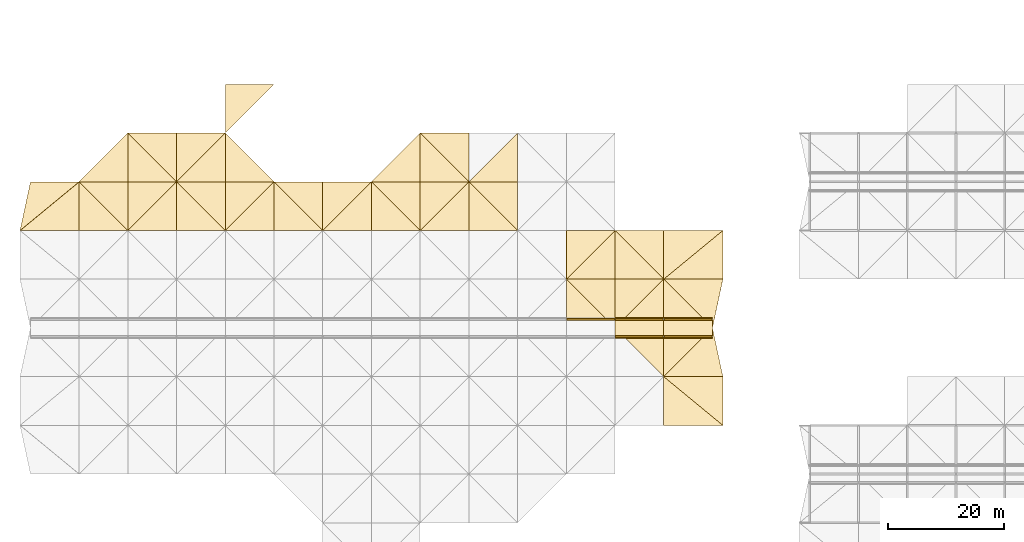
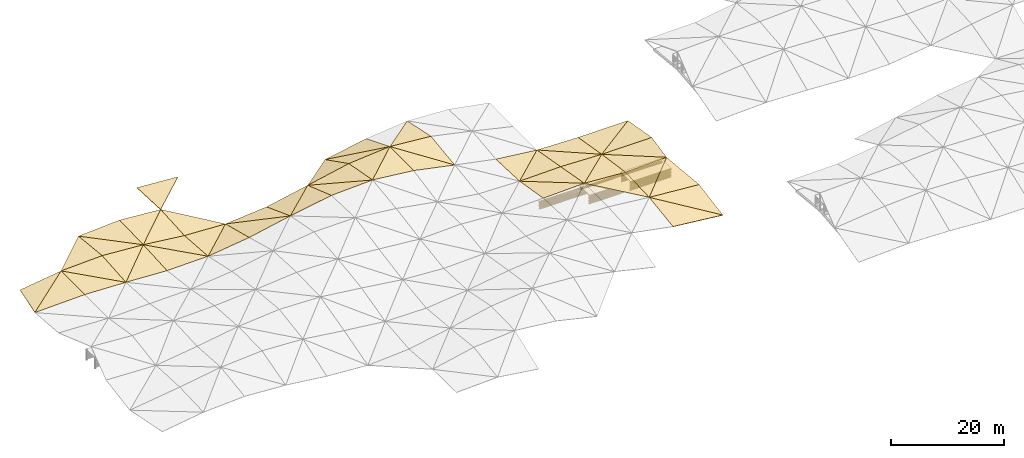
# One storey, part 41 of 46: 50 coverings, 30 shading devices.
"""IFC4 building model written with IfcOpenShell, lengths in metres."""

from ifc_helpers import new_model, si_unit, direction, frame, origin, origin_2d, place, context, subcontext, project, spatial, polyline, rectangle, outline, extrude, material, layer, layer_set, type_object, element, save


model = new_model("IFC4")

# Units and contexts
model_context = context("Model", 3, precision=1e-05, world=origin(), true_north=direction((0.0, 1.0)))
body_context = subcontext(model_context, "Body", "Model", "MODEL_VIEW")
ifc_project = project(units=[si_unit("LENGTHUNIT", "METRE"), si_unit("AREAUNIT", "SQUARE_METRE"), si_unit("VOLUMEUNIT", "CUBIC_METRE"), si_unit("PLANEANGLEUNIT", "RADIAN"), si_unit("MASSUNIT", "GRAM", prefix="KILO")], contexts=[model_context])

# Site, building, storey
site_placement = place(None, origin())
site = spatial("IfcSite", under=ifc_project, at=site_placement, CompositionType="ELEMENT")
building_placement = place(site_placement, origin())
building = spatial("IfcBuilding", under=site, at=building_placement, Name="Rain Tree Exposition and Congress Centre", CompositionType="ELEMENT")
storey_placement = place(building_placement, frame((0.0, 0.0, 27.0)))
storey = spatial("IfcBuildingStorey", under=building, at=storey_placement, Name="ROOF VAULT CREST", CompositionType="ELEMENT", Elevation=27.0)

# Shading devices
ifc_material_1 = material(Name="Aluminium", Category="aluminium")
ifc_layer_1 = layer(ifc_material_1, 0.0400390625)
ifc_layer_set_1 = layer_set([ifc_layer_1], Name="Aluminium")
shading_device_type = type_object("IfcShadingDeviceType", Name="Lantern louvre blade 40", PredefinedType="JALOUSIE", material=ifc_layer_set_1)
for number, where, z_axis, x_axis, name in (
    (1, (113.39990234375, 149.699951171875, 0.14990234375), (0.0, 0.0, 1.0), (1.0, 0.0, 0.0), "Lantern louvre S12.1"),
    (2, (113.39990234375, 149.699951171875, 0.469970703125), (0.0, 0.0, 1.0), (1.0, 0.0, 0.0), "Lantern louvre S12.2"),
    (3, (113.39990234375, 149.699951171875, 0.7900390625), (0.0, 0.0, 1.0), (1.0, 0.0, 0.0), "Lantern louvre S12.3"),
    (4, (113.39990234375, 149.699951171875, 1.10986328125), (0.0, 0.0, 1.0), (1.0, 0.0, 0.0), "Lantern louvre S12.4"),
    (5, (113.39990234375, 149.699951171875, 1.429931640625), (0.0, 0.0, 1.0), (1.0, 0.0, 0.0), "Lantern louvre S12.5"),
    (6, (113.39990234375, 149.699951171875, 1.75), (0.0, 0.0, 1.0), (1.0, 0.0, 0.0), "Lantern louvre S12.6"),
    (7, (121.800048828125, 149.699951171875, 0.14990234375), (0.0, 0.0, 1.0), (1.0, 0.0, 0.0), "Lantern louvre S13.1"),
    (8, (121.800048828125, 149.699951171875, 0.469970703125), (0.0, 0.0, 1.0), (1.0, 0.0, 0.0), "Lantern louvre S13.2"),
    (9, (121.800048828125, 149.699951171875, 0.7900390625), (0.0, 0.0, 1.0), (1.0, 0.0, 0.0), "Lantern louvre S13.3"),
    (10, (121.800048828125, 149.699951171875, 1.10986328125), (0.0, 0.0, 1.0), (1.0, 0.0, 0.0), "Lantern louvre S13.4"),
    (11, (121.800048828125, 149.699951171875, 1.429931640625), (0.0, 0.0, 1.0), (1.0, 0.0, 0.0), "Lantern louvre S13.5"),
    (12, (121.800048828125, 149.699951171875, 1.75), (0.0, 0.0, 1.0), (1.0, 0.0, 0.0), "Lantern louvre S13.6"),
    (13, (105.0, 152.699951171875, 0.14990234375), (0.0, 0.0, 1.0), (1.0, 0.0, 0.0), "Lantern louvre N11.1"),
    (14, (105.0, 152.699951171875, 0.469970703125), (0.0, 0.0, 1.0), (1.0, 0.0, 0.0), "Lantern louvre N11.2"),
    (15, (105.0, 152.699951171875, 0.7900390625), (0.0, 0.0, 1.0), (1.0, 0.0, 0.0), "Lantern louvre N11.3"),
    (16, (105.0, 152.699951171875, 1.10986328125), (0.0, 0.0, 1.0), (1.0, 0.0, 0.0), "Lantern louvre N11.4"),
    (17, (105.0, 152.699951171875, 1.429931640625), (0.0, 0.0, 1.0), (1.0, 0.0, 0.0), "Lantern louvre N11.5"),
    (18, (105.0, 152.699951171875, 1.75), (0.0, 0.0, 1.0), (1.0, 0.0, 0.0), "Lantern louvre N11.6"),
    (19, (113.39990234375, 152.699951171875, 0.14990234375), (0.0, 0.0, 1.0), (1.0, 0.0, 0.0), "Lantern louvre N12.1"),
    (20, (113.39990234375, 152.699951171875, 0.469970703125), (0.0, 0.0, 1.0), (1.0, 0.0, 0.0), "Lantern louvre N12.2"),
    (21, (113.39990234375, 152.699951171875, 0.7900390625), (0.0, 0.0, 1.0), (1.0, 0.0, 0.0), "Lantern louvre N12.3"),
    (22, (113.39990234375, 152.699951171875, 1.10986328125), (0.0, 0.0, 1.0), (1.0, 0.0, 0.0), "Lantern louvre N12.4"),
    (23, (113.39990234375, 152.699951171875, 1.429931640625), (0.0, 0.0, 1.0), (1.0, 0.0, 0.0), "Lantern louvre N12.5"),
    (24, (113.39990234375, 152.699951171875, 1.75), (0.0, 0.0, 1.0), (1.0, 0.0, 0.0), "Lantern louvre N12.6"),
    (25, (121.800048828125, 152.699951171875, 0.14990234375), (0.0, 0.0, 1.0), (1.0, 0.0, 0.0), "Lantern louvre N13.1"),
    (26, (121.800048828125, 152.699951171875, 0.469970703125), (0.0, 0.0, 1.0), (1.0, 0.0, 0.0), "Lantern louvre N13.2"),
    (27, (121.800048828125, 152.699951171875, 0.7900390625), (0.0, 0.0, 1.0), (1.0, 0.0, 0.0), "Lantern louvre N13.3"),
    (28, (121.800048828125, 152.699951171875, 1.10986328125), (0.0, 0.0, 1.0), (1.0, 0.0, 0.0), "Lantern louvre N13.4"),
    (29, (121.800048828125, 152.699951171875, 1.429931640625), (0.0, 0.0, 1.0), (1.0, 0.0, 0.0), "Lantern louvre N13.5"),
    (30, (121.800048828125, 152.699951171875, 1.75), (0.0, 0.0, 1.0), (1.0, 0.0, 0.0), "Lantern louvre N13.6"),
):
    element("IfcShadingDevice", number, at=place(storey_placement, frame(where, z_axis=z_axis, x_axis=x_axis)), inside=storey, type_object=shading_device_type, Name=name, PredefinedType="JALOUSIE", context=body_context, shape_type="SweptSolid", body=[
        extrude(rectangle(XDim=8.300048828125, YDim=0.300048828125, at=origin_2d()), origin(), (0.0, 0.0, 1.0), 0.0400390625),
    ])

# Coverings
ifc_material_2 = material(Name="Aluminium composite", Category="aluminium")
ifc_layer_2 = layer(ifc_material_2, 0.1201171875)
ifc_layer_set_2 = layer_set([ifc_layer_2], Name="Aluminium composite")
covering_type_1 = type_object("IfcCoveringType", Name="Ridge lantern cap 120", PredefinedType="CLADDING", material=ifc_layer_set_2)
for number, where, z_axis, x_axis, name in (
    (31, (113.39990234375, 151.199951171875, 2.02001953125), (0.0, 0.0, 1.0), (1.0, 0.0, 0.0), "Lantern cap 12"),
    (32, (121.800048828125, 151.199951171875, 2.02001953125), (0.0, 0.0, 1.0), (1.0, 0.0, 0.0), "Lantern cap 13"),
):
    element("IfcCovering", number, at=place(storey_placement, frame(where, z_axis=z_axis, x_axis=x_axis)), inside=storey, type_object=covering_type_1, Name=name, PredefinedType="CLADDING", context=body_context, shape_type="SweptSolid", body=[
        extrude(rectangle(XDim=8.39990234375, YDim=3.60009765625, at=origin_2d()), origin(), (0.0, 0.0, 1.0), 0.1201171875),
    ])
ifc_material_3 = material(Name="Aluminium composite cladding", Category="aluminium")
ifc_layer_3 = layer(ifc_material_3, 0.10009765625)
ifc_layer_set_3 = layer_set([ifc_layer_3], Name="Aluminium composite cladding")
covering_type_2 = type_object("IfcCoveringType", Name="Triangular aluminium roof skin facet 100", PredefinedType="CLADDING", material=ifc_layer_set_3)
covering_1_placement = place(storey_placement, frame((117.60009765625, 134.39990234375, 1.56689453125), z_axis=(0.10399041549, -0.14274889775, 0.984280826633), x_axis=(0.994465208073, 0.0, -0.105066407248)))
element("IfcCovering", 33, at=covering_1_placement, inside=storey, type_object=covering_type_2, Name="Roof skin facet A139", PredefinedType="CLADDING", context=body_context, shape_type="SweptSolid", body=[
    extrude(outline(polyline([(0.0, 0.0), (10.256719982832351, 2.7755575615628914e-17), (-0.12799838187743418, 8.487063036679187), (0.0, 0.0)])), origin(), (0.0, 0.0, -1.0), 0.10009765625),
])
covering_2_placement = place(storey_placement, frame((127.800048828125, 134.39990234375, 0.4892578125), z_axis=(0.078179534056, -0.17339666748, 0.981744139866), x_axis=(0.0, 0.984758192937, 0.173929012657)))
element("IfcCovering", 34, at=covering_2_placement, inside=storey, type_object=covering_type_2, Name="Roof skin facet A140", PredefinedType="CLADDING", context=body_context, shape_type="SweptSolid", body=[
    extrude(outline(polyline([(0.0, 0.0), (8.530161561106747, 0.0), (8.671436420752418, 10.231266045986455), (0.0, 0.0)])), origin(), (0.0, 0.0, -1.0), 0.10009765625),
])
covering_3_placement = place(storey_placement, frame((117.60009765625, 142.800048828125, 2.78515625), z_axis=(0.065778939818, -0.040077056321, 0.997029067095), x_axis=(0.0, 0.999193099289, 0.040164042792)))
element("IfcCovering", 35, at=covering_3_placement, inside=storey, type_object=covering_type_2, Name="Roof skin facet A166", PredefinedType="CLADDING", context=body_context, shape_type="SweptSolid", body=[
    extrude(outline(polyline([(0.0, 0.0), (8.406685704422852, -3.469446951953614e-18), (8.428944585560261, 8.418378838899523), (0.0, 0.0)])), origin(), (0.0, 0.0, -1.0), 0.10009765625),
])
covering_4_placement = place(storey_placement, frame((117.60009765625, 142.800048828125, 2.78515625), z_axis=(0.078476655347, -0.150598573035, 0.985475258119), x_axis=(0.996844269139, 0.0, -0.079382007311)))
element("IfcCovering", 36, at=covering_4_placement, inside=storey, type_object=covering_type_2, Name="Roof skin facet A167", PredefinedType="CLADDING", context=body_context, shape_type="SweptSolid", body=[
    extrude(outline(polyline([(0.0, 0.0), (10.232241371748577, -1.3877787807814457e-17), (8.324594733786645, 8.496808462420821), (0.0, 0.0)])), origin(), (0.0, 0.0, -1.0), 0.10009765625),
])
covering_5_placement = place(storey_placement, frame((117.60009765625, 142.800048828125, 2.78515625), z_axis=(-0.032943922244, -0.040142241817, 0.998650738952), x_axis=(0.706161857195, 0.706161857195, 0.051680391688)))
element("IfcCovering", 37, at=covering_5_placement, inside=storey, type_object=covering_type_2, Name="Roof skin facet A168", PredefinedType="CLADDING", context=body_context, shape_type="SweptSolid", body=[
    extrude(outline(polyline([(0.0, 0.0), (11.895151597556644, -4.102621020685149e-16), (5.949140341886064, 5.939704851715387), (0.0, 0.0)])), origin(), (0.0, 0.0, -1.0), 0.10009765625),
])
covering_6_placement = place(storey_placement, frame((100.800048828125, 151.199951171875, 3.39990234375), z_axis=(-0.032505306861, 0.167390305429, 0.985354702975), x_axis=(0.999456325364, 0.0, 0.032970497276)))
element("IfcCovering", 38, at=covering_6_placement, inside=storey, type_object=covering_type_2, Name="Roof skin facet A191", PredefinedType="CLADDING", context=body_context, shape_type="SweptSolid", body=[
    extrude(outline(polyline([(0.0, 0.0), (8.40447164181381, 6.938893903907228e-18), (-0.04704896400875495, 8.520362781488), (0.0, 0.0)])), origin(), (0.0, 0.0, -1.0), 0.10009765625),
])
covering_7_placement = place(storey_placement, frame((109.199951171875, 151.199951171875, 3.677001953125), z_axis=(-0.022707341569, 0.176906212113, 0.983965735559), x_axis=(0.0, 0.984219511563, -0.176951838246)))
element("IfcCovering", 39, at=covering_7_placement, inside=storey, type_object=covering_type_2, Name="Roof skin facet A192", PredefinedType="CLADDING", context=body_context, shape_type="SweptSolid", body=[
    extrude(outline(polyline([(0.0, 0.0), (8.534830274838573, -6.938893903907228e-18), (8.569131973951682, 8.402068774522636), (0.0, 0.0)])), origin(), (0.0, 0.0, -1.0), 0.10009765625),
])
covering_8_placement = place(storey_placement, frame((109.199951171875, 151.199951171875, 3.677001953125), z_axis=(0.065149923599, 0.143559435173, 0.987494899241), x_axis=(0.997830732242, 0.0, -0.065831829633)))
element("IfcCovering", 40, at=covering_8_placement, inside=storey, type_object=covering_type_2, Name="Roof skin facet A193", PredefinedType="CLADDING", context=body_context, shape_type="SweptSolid", body=[
    extrude(outline(polyline([(0.0, 0.0), (8.418408265997842, 0.0), (8.498801530603636, 8.488068468895769), (0.0, 0.0)])), origin(), (0.0, 0.0, -1.0), 0.10009765625),
])
covering_9_placement = place(storey_placement, frame((109.199951171875, 151.199951171875, 3.677001953125), z_axis=(0.031050280743, 0.176866516279, 0.983744944325), x_axis=(0.699340061656, 0.699340061656, -0.147807159251)))
element("IfcCovering", 41, at=covering_9_placement, inside=storey, type_object=covering_type_2, Name="Roof skin facet A194", PredefinedType="CLADDING", context=body_context, shape_type="SweptSolid", body=[
    extrude(outline(polyline([(0.0, 0.0), (12.01153336544728, -8.326672684688674e-17), (6.097785299933364, 5.971628107661899), (0.0, 0.0)])), origin(), (0.0, 0.0, -1.0), 0.10009765625),
])
covering_10_placement = place(storey_placement, frame((117.60009765625, 151.199951171875, 3.122802734375), z_axis=(-0.032627882516, 0.143788480168, 0.989070419259), x_axis=(0.999456325364, 0.0, 0.032970497276)))
element("IfcCovering", 42, at=covering_10_placement, inside=storey, type_object=covering_type_2, Name="Roof skin facet A195", PredefinedType="CLADDING", context=body_context, shape_type="SweptSolid", body=[
    extrude(outline(polyline([(0.0, 0.0), (8.40447164181381, 0.0), (-0.040263287933582935, 8.488353684743663), (0.0, 0.0)])), origin(), (0.0, 0.0, -1.0), 0.10009765625),
])
covering_11_placement = place(storey_placement, frame((126.0, 151.199951171875, 3.39990234375), z_axis=(-0.006888565866, 0.168909387624, 0.985607511352), x_axis=(0.206698854176, 0.964585307965, -0.163862037523)))
element("IfcCovering", 43, at=covering_11_placement, inside=storey, type_object=covering_type_2, Name="Roof skin facet A196", PredefinedType="CLADDING", context=body_context, shape_type="SweptSolid", body=[
    extrude(outline(polyline([(0.0, 0.0), (8.708557361401166, -3.469446951953614e-17), (6.611920712560843, 9.982394542483581), (0.0, 0.0)])), origin(), (0.0, 0.0, -1.0), 0.10009765625),
])
covering_12_placement = place(storey_placement, frame((100.800048828125, 159.60009765625, 1.972900390625), z_axis=(-0.022716230757, 0.174749039631, 0.98435092625), x_axis=(0.999733823804, 0.0, 0.02307122758)))
element("IfcCovering", 44, at=covering_12_placement, inside=storey, type_object=covering_type_2, Name="Roof skin facet A219", PredefinedType="CLADDING", context=body_context, shape_type="SweptSolid", body=[
    extrude(outline(polyline([(0.0, 0.0), (8.402138793091337, 0.0), (8.367734726183228, 8.531171420434392), (0.0, 0.0)])), origin(), (0.0, 0.0, -1.0), 0.10009765625),
])
covering_13_placement = place(storey_placement, frame((100.800048828125, 159.60009765625, 1.972900390625), z_axis=(0.11388218438, 0.039441840904, 0.992711030092), x_axis=(0.70292717055, 0.70292717055, -0.108566964608)))
element("IfcCovering", 45, at=covering_13_placement, inside=storey, type_object=covering_type_2, Name="Roof skin facet A220", PredefinedType="CLADDING", context=body_context, shape_type="SweptSolid", body=[
    extrude(outline(polyline([(0.0, 0.0), (11.949889968221854, -3.191891195797325e-16), (5.9407527516049745, 5.947873458041569), (0.0, 0.0)])), origin(), (0.0, 0.0, -1.0), 0.10009765625),
])
covering_14_placement = place(storey_placement, frame((109.199951171875, 159.60009765625, 2.166748046875), z_axis=(0.031062430464, 0.174709797146, 0.984129875674), x_axis=(0.999502249517, 0.0, -0.031547633998)))
element("IfcCovering", 46, at=covering_14_placement, inside=storey, type_object=covering_type_2, Name="Roof skin facet A221", PredefinedType="CLADDING", context=body_context, shape_type="SweptSolid", body=[
    extrude(outline(polyline([(0.0, 0.0), (8.404329743565942, -6.938893903907228e-18), (0.04704417687032643, 8.531111081803997), (0.0, 0.0)])), origin(), (0.0, 0.0, -1.0), 0.10009765625),
])
covering_15_placement = place(storey_placement, frame((117.60009765625, 159.60009765625, 1.901611328125), z_axis=(0.025114500148, 0.168933571634, 0.985307419163), x_axis=(0.0, 0.985618301708, -0.168986873271)))
element("IfcCovering", 47, at=covering_15_placement, inside=storey, type_object=covering_type_2, Name="Roof skin facet A222", PredefinedType="CLADDING", context=body_context, shape_type="SweptSolid", body=[
    extrude(outline(polyline([(0.0, 0.0), (8.522469935057817, 0.0), (8.486287931185984, 8.402796884513211), (0.0, 0.0)])), origin(), (0.0, 0.0, -1.0), 0.10009765625),
])
covering_16_placement = place(storey_placement, frame((117.60009765625, 159.60009765625, 1.901611328125), z_axis=(-0.006886198448, 0.170874232257, 0.985268784151), x_axis=(0.999975576735, 0.0, 0.006988986534)))
element("IfcCovering", 48, at=covering_16_placement, inside=storey, type_object=covering_type_2, Name="Roof skin facet A223", PredefinedType="CLADDING", context=body_context, shape_type="SweptSolid", body=[
    extrude(outline(polyline([(0.0, 0.0), (10.200200294066109, -1.734723475976807e-18), (10.190018828575687, 8.525285004288031), (0.0, 0.0)])), origin(), (0.0, 0.0, -1.0), 0.10009765625),
])
covering_17_placement = place(storey_placement, frame((117.60009765625, 159.60009765625, 1.901611328125), z_axis=(-0.005284363364, 0.168984513818, 0.985604540165), x_axis=(0.767723550418, 0.632238600151, -0.104282801135)))
element("IfcCovering", 49, at=covering_17_placement, inside=storey, type_object=covering_type_2, Name="Roof skin facet A224", PredefinedType="CLADDING", context=body_context, shape_type="SweptSolid", body=[
    extrude(outline(polyline([(0.0, 0.0), (13.28596884427573, 1.0547118733938987e-15), (5.4609290821970795, 6.542992232394791), (0.0, 0.0)])), origin(), (0.0, 0.0, -1.0), 0.10009765625),
])
covering_18_placement = place(storey_placement, frame((6.60009765625, 168.0, 1.4755859375), z_axis=(-0.030790271064, -0.002178813635, 0.99952349246), x_axis=(0.999525864952, 0.0, 0.030790344149)))
element("IfcCovering", 50, at=covering_18_placement, inside=storey, type_object=covering_type_2, Name="Roof skin facet A225", PredefinedType="CLADDING", context=body_context, shape_type="SweptSolid", body=[
    extrude(outline(polyline([(0.0, 0.0), (10.204789620295765, 0.0), (10.205353408335599, 8.39992228195039), (0.0, 0.0)])), origin(), (0.0, 0.0, -1.0), 0.10009765625),
])
covering_19_placement = place(storey_placement, frame((6.60009765625, 168.0, 1.4755859375), z_axis=(-0.13794449915, 0.128629560807, 0.982051806801), x_axis=(0.771688059868, 0.635503467958, 0.025157115717)))
element("IfcCovering", 51, at=covering_19_placement, inside=storey, type_object=covering_type_2, Name="Roof skin facet A226", PredefinedType="CLADDING", context=body_context, shape_type="SweptSolid", body=[
    extrude(outline(polyline([(0.0, 0.0), (13.217712832855527, 2.7755575615628914e-17), (6.705736412902167, 5.435886564441637), (0.0, 0.0)])), origin(), (0.0, 0.0, -1.0), 0.10009765625),
])
covering_20_placement = place(storey_placement, frame((16.800048828125, 168.0, 1.789794921875), z_axis=(0.035262515596, -0.002178491491, 0.999375709715), x_axis=(0.999378081155, 0.0, -0.035262599271)))
element("IfcCovering", 52, at=covering_20_placement, inside=storey, type_object=covering_type_2, Name="Roof skin facet A227", PredefinedType="CLADDING", context=body_context, shape_type="SweptSolid", body=[
    extrude(outline(polyline([(0.0, 0.0), (8.405129652277123, 0.0), (-0.0006456774768880608, 8.399922276054953), (0.0, 0.0)])), origin(), (0.0, 0.0, -1.0), 0.10009765625),
])
covering_21_placement = place(storey_placement, frame((25.199951171875, 168.0, 1.493408203125), z_axis=(-0.043010505747, -0.080319080381, 0.995840821478), x_axis=(0.0, 0.99676320618, 0.080393474892)))
element("IfcCovering", 53, at=covering_21_placement, inside=storey, type_object=covering_type_2, Name="Roof skin facet A228", PredefinedType="CLADDING", context=body_context, shape_type="SweptSolid", body=[
    extrude(outline(polyline([(0.0, 0.0), (8.427179385904292, -3.469446951953614e-18), (8.398013198479926, 8.407682644832779), (0.0, 0.0)])), origin(), (0.0, 0.0, -1.0), 0.10009765625),
])
covering_22_placement = place(storey_placement, frame((25.199951171875, 168.0, 1.493408203125), z_axis=(0.049173632075, -0.05969394594, 0.997004807775), x_axis=(0.998785916355, 0.0, -0.04926147877)))
element("IfcCovering", 54, at=covering_22_placement, inside=storey, type_object=covering_type_2, Name="Roof skin facet A229", PredefinedType="CLADDING", context=body_context, shape_type="SweptSolid", body=[
    extrude(outline(polyline([(0.0, 0.0), (8.410357361695379, 0.0), (8.38558230157157, 8.414908427992634), (0.0, 0.0)])), origin(), (0.0, 0.0, -1.0), 0.10009765625),
])
covering_23_placement = place(storey_placement, frame((25.199951171875, 168.0, 1.493408203125), z_axis=(0.069705146805, -0.080197928864, 0.994338717296), x_axis=(0.707097380494, 0.707076829519, 0.007460003753)))
element("IfcCovering", 55, at=covering_23_placement, inside=storey, type_object=covering_type_2, Name="Roof skin facet A230", PredefinedType="CLADDING", context=body_context, shape_type="SweptSolid", body=[
    extrude(outline(polyline([(0.0, 0.0), (11.879759020617039, 1.0061396160665481e-16), (5.944430397180498, 5.973365856473784), (0.0, 0.0)])), origin(), (0.0, 0.0, -1.0), 0.10009765625),
])
covering_24_placement = place(storey_placement, frame((33.60009765625, 168.0, 1.0791015625), z_axis=(-0.019956791153, -0.059754345604, 0.998013599441), x_axis=(0.999800129687, 0.0, 0.019992515527)))
element("IfcCovering", 56, at=covering_24_placement, inside=storey, type_object=covering_type_2, Name="Roof skin facet A231", PredefinedType="CLADDING", context=body_context, shape_type="SweptSolid", body=[
    extrude(outline(polyline([(0.0, 0.0), (8.401581570485005, 0.0), (0.010054829586376195, 8.414938891965145), (0.0, 0.0)])), origin(), (0.0, 0.0, -1.0), 0.10009765625),
])
covering_25_placement = place(storey_placement, frame((42.0, 168.0, 1.2470703125), z_axis=(0.114305161568, 0.074802219082, 0.990625538768), x_axis=(0.0, 0.997161247189, -0.075295730983)))
element("IfcCovering", 57, at=covering_25_placement, inside=storey, type_object=covering_type_2, Name="Roof skin facet A232", PredefinedType="CLADDING", context=body_context, shape_type="SweptSolid", body=[
    extrude(outline(polyline([(0.0, 0.0), (8.423815473604067, 0.0), (8.350835968720748, 8.455321177947305), (0.0, 0.0)])), origin(), (0.0, 0.0, -1.0), 0.10009765625),
])
covering_26_placement = place(storey_placement, frame((42.0, 168.0, 1.2470703125), z_axis=(-0.126895870995, 0.247230569343, 0.960611515394), x_axis=(0.99138747512, 0.0, 0.130961346115)))
element("IfcCovering", 58, at=covering_26_placement, inside=storey, type_object=covering_type_2, Name="Roof skin facet A233", PredefinedType="CLADDING", context=body_context, shape_type="SweptSolid", body=[
    extrude(outline(polyline([(0.0, 0.0), (8.472875192151607, 0.0), (8.189754410939546, 8.669017435637208), (0.0, 0.0)])), origin(), (0.0, 0.0, -1.0), 0.10009765625),
])
covering_27_placement = place(storey_placement, frame((42.0, 168.0, 1.2470703125), z_axis=(0.049556546113, 0.07520321659, 0.99593605465), x_axis=(0.70434896908, 0.70434896908, -0.088232984268)))
element("IfcCovering", 59, at=covering_27_placement, inside=storey, type_object=covering_type_2, Name="Roof skin facet A234", PredefinedType="CLADDING", context=body_context, shape_type="SweptSolid", body=[
    extrude(outline(polyline([(0.0, 0.0), (11.925767925416192, -3.469446951953614e-16), (5.972426739082811, 5.940604849644517), (0.0, 0.0)])), origin(), (0.0, 0.0, -1.0), 0.10009765625),
])
covering_28_placement = place(storey_placement, frame((50.39990234375, 168.0, 2.356689453125), z_axis=(-0.195063495013, 0.244457607051, 0.949837202508), x_axis=(0.979556980097, 0.0, 0.201166902705)))
element("IfcCovering", 60, at=covering_28_placement, inside=storey, type_object=covering_type_2, Name="Roof skin facet A235", PredefinedType="CLADDING", context=body_context, shape_type="SweptSolid", body=[
    extrude(outline(polyline([(0.0, 0.0), (8.57545467497537, 0.0), (-0.4348957332643568, 8.662729730132673), (0.0, 0.0)])), origin(), (0.0, 0.0, -1.0), 0.10009765625),
])
covering_29_placement = place(storey_placement, frame((58.800048828125, 168.0, 4.081787109375), z_axis=(-0.083101212881, 0.348856170845, 0.933484633232), x_axis=(0.0, 0.936724658673, -0.350067013347)))
element("IfcCovering", 61, at=covering_29_placement, inside=storey, type_object=covering_type_2, Name="Roof skin facet A236", PredefinedType="CLADDING", context=body_context, shape_type="SweptSolid", body=[
    extrude(outline(polyline([(0.0, 0.0), (8.96731207615327, 2.7755575615628914e-17), (9.22909314594869, 8.429302495461481), (0.0, 0.0)])), origin(), (0.0, 0.0, -1.0), 0.10009765625),
])
covering_30_placement = place(storey_placement, frame((58.800048828125, 168.0, 4.081787109375), z_axis=(-0.16436450814, 0.322280161527, 0.932265952371), x_axis=(0.984811209071, 0.0, 0.173628576243)))
element("IfcCovering", 62, at=covering_30_placement, inside=storey, type_object=covering_type_2, Name="Roof skin facet A237", PredefinedType="CLADDING", context=body_context, shape_type="SweptSolid", body=[
    extrude(outline(polyline([(0.0, 0.0), (8.529454444039523, 0.0), (8.025270292223878, 8.873345596489017), (0.0, 0.0)])), origin(), (0.0, 0.0, -1.0), 0.10009765625),
])
covering_31_placement = place(storey_placement, frame((58.800048828125, 168.0, 4.081787109375), z_axis=(-0.187983914637, 0.343826056103, 0.920024831721), x_axis=(0.702088519812, 0.702088519812, -0.118926114441)))
element("IfcCovering", 63, at=covering_31_placement, inside=storey, type_object=covering_type_2, Name="Roof skin facet A238", PredefinedType="CLADDING", context=body_context, shape_type="SweptSolid", body=[
    extrude(outline(polyline([(0.0, 0.0), (11.964164213934135, -1.1102230246251565e-15), (6.270803123081226, 6.410125900688614), (0.0, 0.0)])), origin(), (0.0, 0.0, -1.0), 0.10009765625),
])
covering_32_placement = place(storey_placement, frame((67.199951171875, 168.0, 5.562744140625), z_axis=(-0.045249697587, 0.326389051378, 0.944151816187), x_axis=(0.998853509846, 0.0, 0.047871347044)))
element("IfcCovering", 64, at=covering_32_placement, inside=storey, type_object=covering_type_2, Name="Roof skin facet A239", PredefinedType="CLADDING", context=body_context, shape_type="SweptSolid", body=[
    extrude(outline(polyline([(0.0, 0.0), (8.409788223768514, 0.0), (-0.13900922894021486, 8.886570776623712), (0.0, 0.0)])), origin(), (0.0, 0.0, -1.0), 0.10009765625),
])
covering_33_placement = place(storey_placement, frame((75.60009765625, 168.0, 5.96533203125), z_axis=(-0.201094135109, 0.178058731984, 0.963252945383), x_axis=(0.0, 0.983340706818, -0.181771984403)))
element("IfcCovering", 65, at=covering_33_placement, inside=storey, type_object=covering_type_2, Name="Roof skin facet A240", PredefinedType="CLADDING", context=body_context, shape_type="SweptSolid", body=[
    extrude(outline(polyline([(0.0, 0.0), (8.542209516503526, -1.1102230246251565e-16), (8.860976158096758, 8.575323876159), (0.0, 0.0)])), origin(), (0.0, 0.0, -1.0), 0.10009765625),
])
covering_34_placement = place(storey_placement, frame((75.60009765625, 168.0, 5.96533203125), z_axis=(0.108542286799, -0.012538555356, 0.99401275475), x_axis=(0.994090901006, 0.0, -0.108550820063)))
element("IfcCovering", 66, at=covering_34_placement, inside=storey, type_object=covering_type_2, Name="Roof skin facet A241", PredefinedType="CLADDING", context=body_context, shape_type="SweptSolid", body=[
    extrude(outline(polyline([(0.0, 0.0), (8.449833244873474, 0.0), (8.438331522239865, 8.400562718495976), (0.0, 0.0)])), origin(), (0.0, 0.0, -1.0), 0.10009765625),
])
covering_35_placement = place(storey_placement, frame((75.60009765625, 168.0, 5.96533203125), z_axis=(-0.086473842168, 0.181091088636, 0.979657232014), x_axis=(0.705463539719, 0.705463539719, -0.068135073606)))
element("IfcCovering", 67, at=covering_35_placement, inside=storey, type_object=covering_type_2, Name="Roof skin facet A242", PredefinedType="CLADDING", context=body_context, shape_type="SweptSolid", body=[
    extrude(outline(polyline([(0.0, 0.0), (11.906926256033145, 4.440892098500626e-16), (6.0316205116438635, 6.048875715978995), (0.0, 0.0)])), origin(), (0.0, 0.0, -1.0), 0.10009765625),
])
covering_36_placement = place(storey_placement, frame((84.0, 168.0, 5.048095703125), z_axis=(0.20219484051, -0.012352556416, 0.979267410272), x_axis=(0.9793421299, 0.0, -0.202210268291)))
element("IfcCovering", 68, at=covering_36_placement, inside=storey, type_object=covering_type_2, Name="Roof skin facet A243", PredefinedType="CLADDING", context=body_context, shape_type="SweptSolid", body=[
    extrude(outline(polyline([(0.0, 0.0), (8.577086686349961, 3.469446951953614e-18), (-0.021425599716355794, 8.400543269377573), (0.0, 0.0)])), origin(), (0.0, 0.0, -1.0), 0.10009765625),
])
covering_37_placement = place(storey_placement, frame((92.39990234375, 168.0, 3.313720703125), z_axis=(0.086239486876, -0.130163060419, 0.987734948559), x_axis=(0.0, 0.991428579644, 0.130649804688)))
element("IfcCovering", 69, at=covering_37_placement, inside=storey, type_object=covering_type_2, Name="Roof skin facet A244", PredefinedType="CLADDING", context=body_context, shape_type="SweptSolid", body=[
    extrude(outline(polyline([(0.0, 0.0), (8.472523907638681, -1.3877787807814457e-17), (8.568342270256766, 8.431313746626286), (0.0, 0.0)])), origin(), (0.0, 0.0, -1.0), 0.10009765625),
])
covering_38_placement = place(storey_placement, frame((16.800048828125, 176.39990234375, 1.80810546875), z_axis=(-0.042912067678, 0.104851405915, 0.993561642338), x_axis=(0.999068608702, 0.0, 0.043149914333)))
element("IfcCovering", 70, at=covering_38_placement, inside=storey, type_object=covering_type_2, Name="Roof skin facet A255", PredefinedType="CLADDING", context=body_context, shape_type="SweptSolid", body=[
    extrude(outline(polyline([(0.0, 0.0), (8.407733233322237, 0.0), (8.369481929869597, 8.4467055725773), (0.0, 0.0)])), origin(), (0.0, 0.0, -1.0), 0.10009765625),
])
covering_39_placement = place(storey_placement, frame((25.199951171875, 176.39990234375, 2.1708984375), z_axis=(0.069546092025, 0.104693971867, 0.992069812734), x_axis=(0.99755187323, 0.0, -0.069930395508)))
element("IfcCovering", 71, at=covering_39_placement, inside=storey, type_object=covering_type_2, Name="Roof skin facet A257", PredefinedType="CLADDING", context=body_context, shape_type="SweptSolid", body=[
    extrude(outline(polyline([(0.0, 0.0), (8.420761576215767, 0.0), (0.06199152004104216, 8.446564700721071), (0.0, 0.0)])), origin(), (0.0, 0.0, -1.0), 0.10009765625),
])
covering_40_placement = place(storey_placement, frame((33.60009765625, 176.39990234375, 1.58203125), z_axis=(-0.062775414694, -0.027429811686, 0.997650666687), x_axis=(0.0, 0.999622243, 0.027484019004)))
element("IfcCovering", 72, at=covering_40_placement, inside=storey, type_object=covering_type_2, Name="Roof skin facet A258", PredefinedType="CLADDING", context=body_context, shape_type="SweptSolid", body=[
    extrude(outline(polyline([(0.0, 0.0), (8.403320897671437, -3.469446951953614e-18), (8.388793822196805, 8.41674701438407), (0.0, 0.0)])), origin(), (0.0, 0.0, -1.0), 0.10009765625),
])
covering_41_placement = place(storey_placement, frame((33.60009765625, 176.39990234375, 1.58203125), z_axis=(0.114388811256, -0.064338234697, 0.991350488685), x_axis=(0.993408682965, 0.0, -0.114626299813)))
element("IfcCovering", 73, at=covering_41_placement, inside=storey, type_object=covering_type_2, Name="Roof skin facet A259", PredefinedType="CLADDING", context=body_context, shape_type="SweptSolid", body=[
    extrude(outline(polyline([(0.0, 0.0), (8.45563612216001, 0.0), (8.393145759005014, 8.417586465137314), (0.0, 0.0)])), origin(), (0.0, 0.0, -1.0), 0.10009765625),
])
covering_42_placement = place(storey_placement, frame((33.60009765625, 176.39990234375, 1.58203125), z_axis=(0.077715370671, -0.027400895981, 0.996598972537), x_axis=(0.706646391357, 0.706666929821, -0.035675311916)))
element("IfcCovering", 74, at=covering_42_placement, inside=storey, type_object=covering_type_2, Name="Roof skin facet A260", PredefinedType="CLADDING", context=body_context, shape_type="SweptSolid", body=[
    extrude(outline(polyline([(0.0, 0.0), (11.886995315468361, -6.106226635438361e-16), (5.92786626202831, 5.956190367067527), (0.0, 0.0)])), origin(), (0.0, 0.0, -1.0), 0.10009765625),
])
covering_43_placement = place(storey_placement, frame((42.0, 176.39990234375, 0.61279296875), z_axis=(0.049593202403, -0.064683646255, 0.996672734744), x_axis=(0.998764326863, 0.0, -0.04969727744)))
element("IfcCovering", 75, at=covering_43_placement, inside=storey, type_object=covering_type_2, Name="Roof skin facet A261", PredefinedType="CLADDING", context=body_context, shape_type="SweptSolid", body=[
    extrude(outline(polyline([(0.0, 0.0), (8.4102947190044, 0.0), (-0.0270932667292111, 8.41777481870643), (0.0, 0.0)])), origin(), (0.0, 0.0, -1.0), 0.10009765625),
])
covering_44_placement = place(storey_placement, frame((67.199951171875, 176.39990234375, 2.658935546875), z_axis=(-0.183312607544, 0.442012301637, 0.878078363882), x_axis=(0.978895836357, 0.0, 0.204359833538)))
element("IfcCovering", 76, at=covering_44_placement, inside=storey, type_object=covering_type_2, Name="Roof skin facet A267", PredefinedType="CLADDING", context=body_context, shape_type="SweptSolid", body=[
    extrude(outline(polyline([(0.0, 0.0), (8.581246515094135, 1.1102230246251565e-16), (7.717107765855406, 9.364617961876018), (0.0, 0.0)])), origin(), (0.0, 0.0, -1.0), 0.10009765625),
])
covering_45_placement = place(storey_placement, frame((75.60009765625, 176.39990234375, 4.41259765625), z_axis=(-0.078599636217, 0.448240412687, 0.890450801347), x_axis=(0.996126867259, 0.0, 0.087927608436)))
element("IfcCovering", 77, at=covering_45_placement, inside=storey, type_object=covering_type_2, Name="Roof skin facet A269", PredefinedType="CLADDING", context=body_context, shape_type="SweptSolid", body=[
    extrude(outline(polyline([(0.0, 0.0), (8.432562778741353, 5.551115123125783e-17), (-0.37180326614243453, 9.39705100981753), (0.0, 0.0)])), origin(), (0.0, 0.0, -1.0), 0.10009765625),
])
covering_46_placement = place(storey_placement, frame((84.0, 176.39990234375, 5.154052734375), z_axis=(-0.172968848684, 0.367651028011, 0.913736558854), x_axis=(0.0, 0.927719805356, -0.373277326862)))
element("IfcCovering", 78, at=covering_46_placement, inside=storey, type_object=covering_type_2, Name="Roof skin facet A270", PredefinedType="CLADDING", context=body_context, shape_type="SweptSolid", body=[
    extrude(outline(polyline([(0.0, 0.0), (9.054615882807541, 1.1102230246251565e-16), (9.648159640096273, 8.528449137600141), (0.0, 0.0)])), origin(), (0.0, 0.0, -1.0), 0.10009765625),
])
covering_47_placement = place(storey_placement, frame((84.0, 176.39990234375, 5.154052734375), z_axis=(0.085125700918, 0.20535553425, 0.974978317501), x_axis=(0.996210105483, 0.0, -0.086979455818)))
element("IfcCovering", 79, at=covering_47_placement, inside=storey, type_object=covering_type_2, Name="Roof skin facet A271", PredefinedType="CLADDING", context=body_context, shape_type="SweptSolid", body=[
    extrude(outline(polyline([(0.0, 0.0), (8.431858196902045, 0.0), (8.585749826861058, 8.583073761805078), (0.0, 0.0)])), origin(), (0.0, 0.0, -1.0), 0.10009765625),
])
covering_48_placement = place(storey_placement, frame((42.0, 184.800048828125, 1.157958984375), z_axis=(0.068278059565, 0.044350322102, 0.996680066777), x_axis=(0.704860130672, 0.704860130672, -0.079651694125)))
element("IfcCovering", 80, at=covering_48_placement, inside=storey, type_object=covering_type_2, Name="Roof skin facet A290", PredefinedType="CLADDING", context=body_context, shape_type="SweptSolid", body=[
    extrude(outline(polyline([(0.0, 0.0), (11.917119408834715, 1.734723475976807e-17), (5.950528417875976, 5.940478254766997), (0.0, 0.0)])), origin(), (0.0, 0.0, -1.0), 0.10009765625),
])

save(model, "model.ifc")
